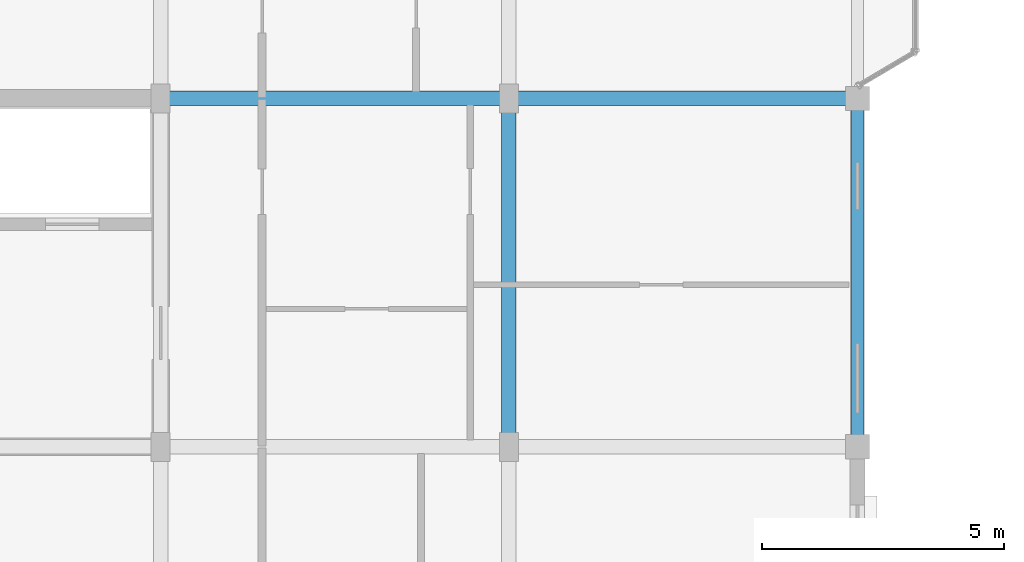
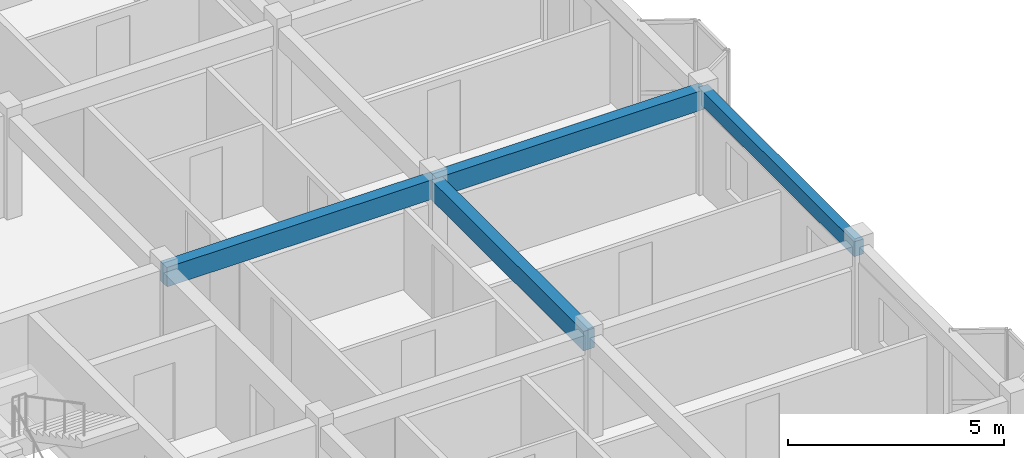
# One storey, part 8 of 65: 4 beams.
"""IFC4 building model written with IfcOpenShell, lengths in metres."""

from ifc_helpers import new_model, si_unit, direction, frame, origin, origin_2d, place, context, subcontext, project, spatial, rectangle, extrude, material, material_profile, profile_set, type_object, element, save


model = new_model("IFC4")

# Units and contexts
model_context = context("Model", 3, precision=1e-05, world=origin(), true_north=direction((0.0, 1.0)))
body_context = subcontext(model_context, "Body", "Model", "MODEL_VIEW")
ifc_project = project(units=[si_unit("LENGTHUNIT", "METRE"), si_unit("AREAUNIT", "SQUARE_METRE"), si_unit("VOLUMEUNIT", "CUBIC_METRE"), si_unit("PLANEANGLEUNIT", "RADIAN"), si_unit("MASSUNIT", "GRAM", prefix="KILO"), si_unit("THERMODYNAMICTEMPERATUREUNIT", "KELVIN"), si_unit("POWERUNIT", "WATT")], contexts=[model_context])

# Site, building, storey
site_placement = place(None, origin())
site = spatial("IfcSite", under=ifc_project, at=site_placement, CompositionType="ELEMENT")
building_placement = place(site_placement, origin())
building = spatial("IfcBuilding", under=site, at=building_placement, Name="Tavuni Mirador Residences", CompositionType="ELEMENT")
storey_placement = place(building_placement, frame((0.0, 0.0, 29.699951171875)))
storey = spatial("IfcBuildingStorey", under=building, at=storey_placement, Name="L09", CompositionType="ELEMENT", Elevation=29.699951171875)

# Beams
ifc_material = material(Name="Precast concrete C40/50", Category="concrete")
ifc_material_profile_1 = material_profile(ifc_material, rectangle(XDim=0.300048828125, YDim=0.550048828125, at=origin_2d()), Name="PC 300x550", Category="concrete")
ifc_profile_set_1 = profile_set([ifc_material_profile_1], Name="Precast concrete C40/50")
beam_type_1 = type_object("IfcBeamType", Name="BT-B550", PredefinedType="BEAM", material=ifc_profile_set_1)
for number, where, z_axis, x_axis, name in (
    (1, (18.0, 21.60009765625, 2.594970703125), (1.0, 0.0, 0.0), (0.0, 1.0, 0.0), "BMX-BLK-A-L09-02-02"),
    (2, (25.199951171875, 21.60009765625, 2.594970703125), (1.0, 0.0, 0.0), (0.0, 1.0, 0.0), "BMX-BLK-A-L09-03-02"),
):
    element("IfcBeam", number, at=place(storey_placement, frame(where, z_axis=z_axis, x_axis=x_axis)), inside=storey, type_object=beam_type_1, Name=name, PredefinedType="BEAM", context=body_context, shape_type="SweptSolid", body=[
        extrude(rectangle(XDim=0.300048828125, YDim=0.550048828125, at=origin_2d()), origin(), (0.0, 0.0, 1.0), 7.199951171875),
    ])
beam_1_placement = place(storey_placement, frame((25.199951171875, 14.39990234375, 2.594970703125), z_axis=(0.0, 1.0, 0.0), x_axis=(-1.0, 0.0, 0.0)))
element("IfcBeam", 3, at=beam_1_placement, inside=storey, type_object=beam_type_1, Name="BMY-BLK-A-L09-03-01", PredefinedType="BEAM", context=body_context, shape_type="SweptSolid", body=[
    extrude(rectangle(XDim=0.300048828125, YDim=0.550048828125, at=origin_2d()), origin(), (0.0, 0.0, 1.0), 7.2001953125),
])
ifc_material_profile_2 = material_profile(ifc_material, rectangle(XDim=0.25, YDim=0.419921875, at=origin_2d()), Name="PC 250x420", Category="concrete")
ifc_profile_set_2 = profile_set([ifc_material_profile_2], Name="Precast concrete C40/50")
beam_type_2 = type_object("IfcBeamType", Name="BT-SP420", PredefinedType="SPANDREL", material=ifc_profile_set_2)
beam_2_placement = place(storey_placement, frame((32.39990234375, 14.39990234375, 2.66015625), z_axis=(0.0, 1.0, 0.0), x_axis=(-1.0, 0.0, 0.0)))
element("IfcBeam", 4, at=beam_2_placement, inside=storey, type_object=beam_type_2, Name="BMY-BLK-A-L09-04-01", PredefinedType="SPANDREL", context=body_context, shape_type="SweptSolid", body=[
    extrude(rectangle(XDim=0.25, YDim=0.419921875, at=origin_2d()), origin(), (0.0, 0.0, 1.0), 7.2001953125),
])

save(model, "model.ifc")
